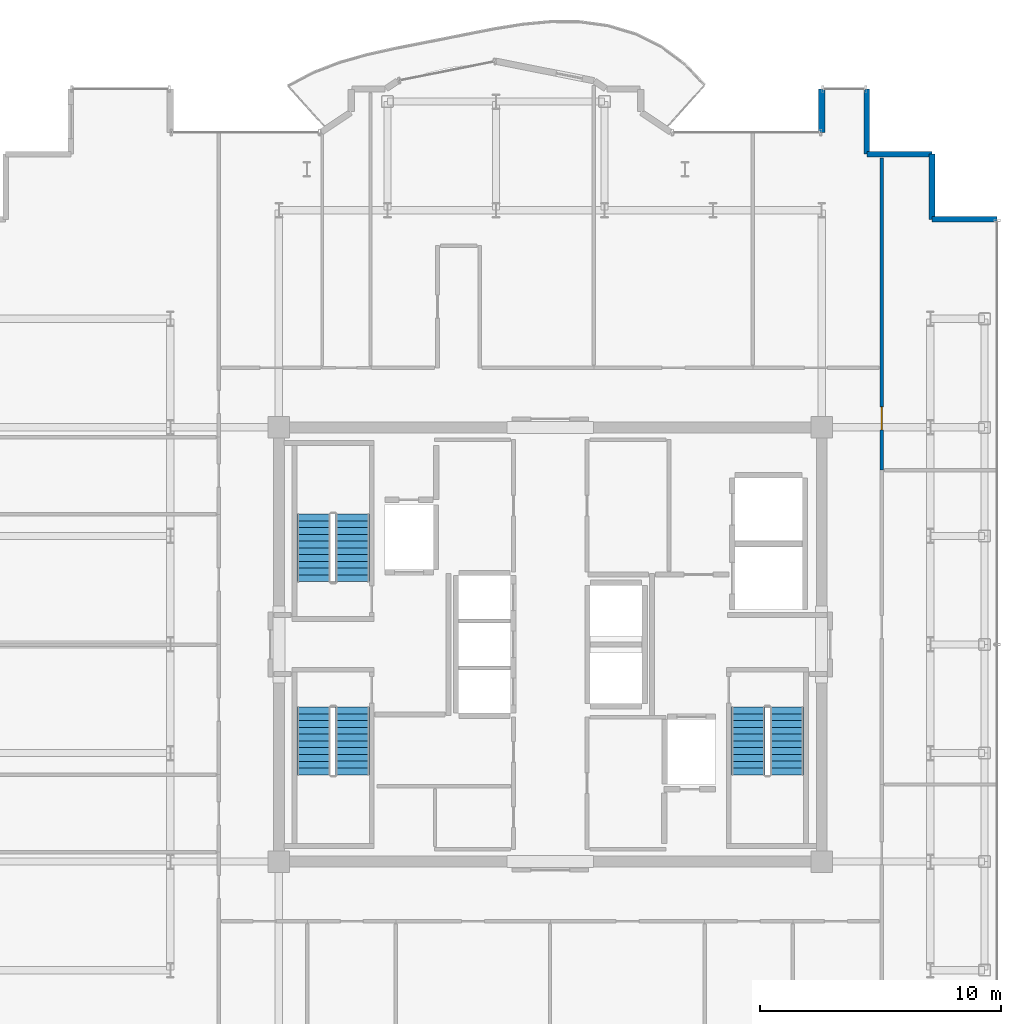
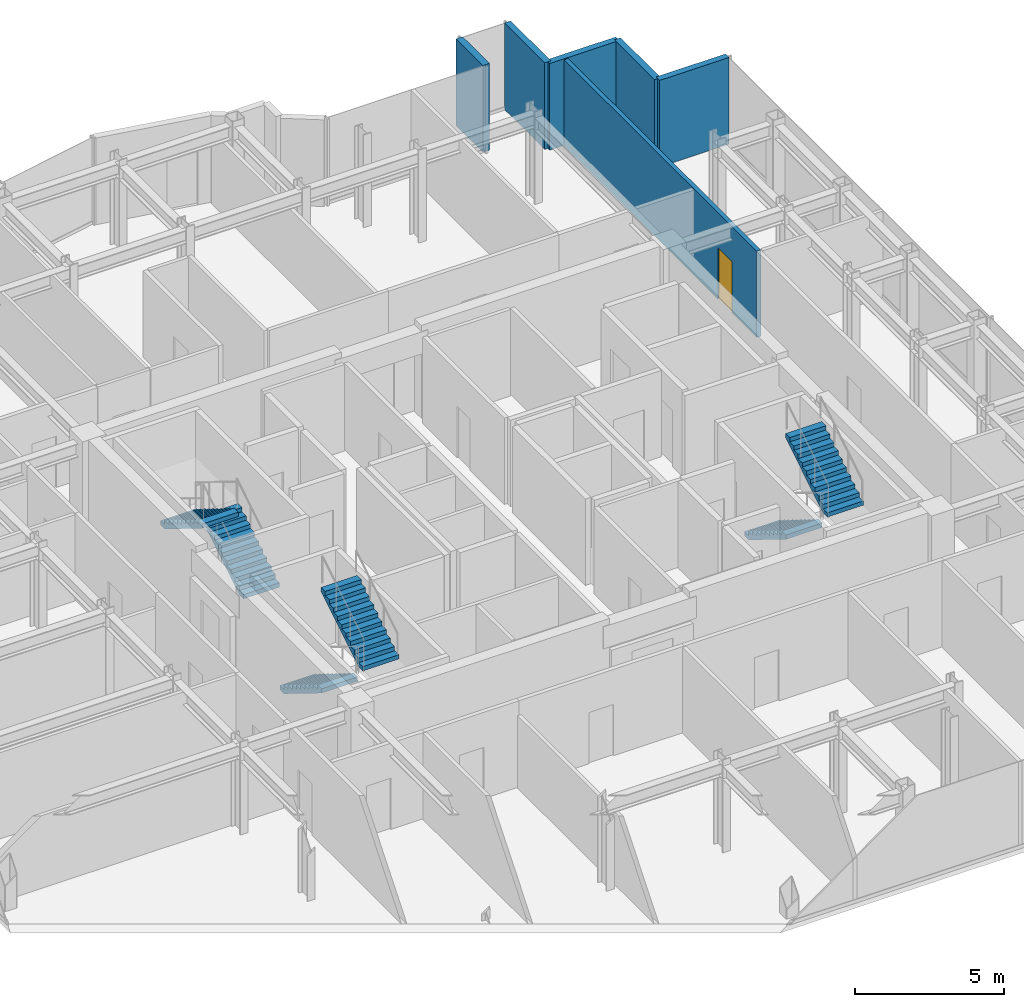
# One storey, part 17 of 18: 6 stair flights, 6 walls, 1 door, 1 opening, 3 elements without a shape of their own.
"""IFC4 building model written with IfcOpenShell, lengths in metres."""

from ifc_helpers import new_model, si_unit, direction, frame, frame_2d, origin, place, context, subcontext, project, spatial, polyline, rectangle, outline, extrude, source, transform, mapped, material, layer, layer_set, type_object, element, fill, aggregate, save


model = new_model("IFC4")

# Units and contexts
model_context = context("Model", 3, precision=1e-05, world=origin(), true_north=direction((0.0, 1.0)))
body_context = subcontext(model_context, "Body", "Model", "MODEL_VIEW")
ifc_project = project(units=[si_unit("LENGTHUNIT", "METRE"), si_unit("AREAUNIT", "SQUARE_METRE"), si_unit("VOLUMEUNIT", "CUBIC_METRE"), si_unit("PLANEANGLEUNIT", "RADIAN"), si_unit("MASSUNIT", "GRAM", prefix="KILO")], contexts=[model_context])

# Site, building, storey
site_placement = place(None, origin())
site = spatial("IfcSite", under=ifc_project, at=site_placement, CompositionType="ELEMENT")
building_placement = place(site_placement, origin())
building = spatial("IfcBuilding", under=site, at=building_placement, Name="Nefas-Gora Pilgrimage Tower", CompositionType="ELEMENT")
storey_placement = place(building_placement, frame((0.0, 0.0, 302.60009765625)))
storey = spatial("IfcBuildingStorey", under=building, at=storey_placement, Name="L76", CompositionType="ELEMENT", Elevation=302.60009765625)

# Walls
ifc_material_1 = material(Name="Precast concrete C40/50", Category="concrete")
ifc_layer_1 = layer(ifc_material_1, 0.260009765625)
ifc_layer_set_1 = layer_set([ifc_layer_1], Name="Precast concrete C40/50")
wall_type_1 = type_object("IfcWallType", Name="EW-PORTAL-260", PredefinedType="SOLIDWALL", material=ifc_layer_set_1)
shared_shape_1 = source(origin(), body_context, "Body", "SweptSolid", [
    extrude(rectangle(XDim=1.800048828125, YDim=0.260009765625, at=frame_2d((0.89990234375, 0.0))), origin(), (0.0, 0.0, 1.0), 3.5498046875),
])
wall_1_placement = place(storey_placement, frame((11.25, 23.02001953125, 0.0), z_axis=(0.0, 0.0, 1.0), x_axis=(0.0, -1.0, 0.0)))
element("IfcWall", 1, at=wall_1_placement, inside=storey, type_object=wall_type_1, Name="L76 Lobe Shoulder Precast Spandrel Pier 6", PredefinedType="SOLIDWALL", context=body_context, shape_type="MappedRepresentation", body=[
    mapped(shared_shape_1, transform((0.0, 0.0, 0.0), x_axis=(1.0, 0.0, 0.0), y_axis=(0.0, 1.0, 0.0), z_axis=(0.0, 0.0, 1.0), scale=1.0)),
])
ifc_material_2 = material(Name="Precast concrete C45/55", Category="concrete")
ifc_layer_2 = layer(ifc_material_2, 0.239990234375)
ifc_layer_set_2 = layer_set([ifc_layer_2], Name="Precast concrete C45/55")
wall_type_2 = type_object("IfcWallType", Name="EW-SERR-240", PredefinedType="SHEAR", material=ifc_layer_set_2)
shared_shape_2 = source(origin(), body_context, "Body", "SweptSolid", [
    extrude(rectangle(XDim=2.699951171875, YDim=0.239990234375, at=frame_2d((1.35009765625, 0.0))), origin(), (0.0, 0.0, 1.0), 3.5498046875),
])
for number, where, z_axis, x_axis, name in (
    (2, (18.52001953125, 17.6201171875, 0.0), (0.0, 0.0, 1.0), (-1.0, 0.0, 0.0), "L76 Serrated Corner Shear Pier Wall 2"),
    (3, (15.820068359375, 17.6201171875, 0.0), (0.0, 0.0, 1.0), (0.0, 1.0, 0.0), "L76 Serrated Corner Shear Pier Wall 3"),
    (4, (15.820068359375, 20.320068359375, 0.0), (0.0, 0.0, 1.0), (-1.0, 0.0, 0.0), "L76 Serrated Corner Shear Pier Wall 4"),
    (5, (13.1201171875, 20.320068359375, 0.0), (0.0, 0.0, 1.0), (0.0, 1.0, 0.0), "L76 Serrated Corner Shear Pier Wall 5"),
):
    element("IfcWall", number, at=place(storey_placement, frame(where, z_axis=z_axis, x_axis=x_axis)), inside=storey, type_object=wall_type_2, Name=name, PredefinedType="SHEAR", context=body_context, shape_type="MappedRepresentation", body=[
        mapped(shared_shape_2, transform((0.0, 0.0, 0.0), x_axis=(1.0, 0.0, 0.0), y_axis=(0.0, 1.0, 0.0), z_axis=(0.0, 0.0, 1.0), scale=1.0)),
    ])

# Wall, opening, door
ifc_material_3 = material(Name="Gypsum acoustic stud partition")
ifc_layer_3 = layer(ifc_material_3, 0.159912109375)
ifc_layer_set_3 = layer_set([ifc_layer_3], Name="Gypsum acoustic stud partition")
wall_type_3 = type_object("IfcWallType", Name="IW-CORR-160", PredefinedType="PARTITIONING", material=ifc_layer_set_3)
shared_shape_3 = source(origin(), body_context, "Body", "SweptSolid", [
    extrude(rectangle(XDim=12.92236328125, YDim=0.159912109375, at=frame_2d((6.461181640625, 0.0))), origin(), (0.0, 0.0, 1.0), 3.534912109375),
])
wall_2_placement = place(storey_placement, frame((13.739990234375, 7.237548828125, 0.0), z_axis=(0.0, 0.0, 1.0), x_axis=(0.0, 1.0, 0.0)))
wall_2 = element("IfcWall", 6, at=wall_2_placement, inside=storey, type_object=wall_type_3, Name="L76 Pilgrim Contemplative Lounge Partition Wall 52", PredefinedType="PARTITIONING", context=body_context, shape_type="MappedRepresentation", body=[
    mapped(shared_shape_3, transform((0.0, 0.0, 0.0), x_axis=(1.0, 0.0, 0.0), y_axis=(0.0, 1.0, 0.0), z_axis=(0.0, 0.0, 1.0), scale=1.0)),
])
opening_placement = place(wall_2_placement, frame((1.6611328125, 0.0, 0.0)))
opening = element("IfcOpeningElement", 7, at=opening_placement, cuts=wall_2, Name="Opening ID-GR1", PredefinedType="OPENING", context=body_context, shape_type="SweptSolid", body=[
    extrude(rectangle(XDim=0.949951171875, YDim=2.10009765625, at=frame_2d((0.47509765625, 1.050048828125))), frame((0.0, 0.08984375, 0.0), z_axis=(0.0, -1.0, 0.0), x_axis=(1.0, 0.0, 0.0)), (0.0, 0.0, 1.0), 0.179931640625),
])
ifc_material_4 = material(Name="Solid core oak fire-rated guest entrance door")
door_type = type_object("IfcDoorType", Name="DR-INT-GUEST-950", OperationType="NOTDEFINED", PredefinedType="DOOR", material=ifc_material_4)
shared_shape_4 = source(origin(), body_context, "Body", "SweptSolid", [
    extrude(rectangle(XDim=0.949951171875, YDim=2.10009765625, at=frame_2d((0.47509765625, 1.050048828125))), frame((0.0, 0.02490234375, 0.0), z_axis=(0.0, -1.0, 0.0), x_axis=(1.0, 0.0, 0.0)), (0.0, 0.0, 1.0), 0.050048828125),
])
door_placement = place(opening_placement, origin())
door = element("IfcDoor", 8, at=door_placement, inside=storey, type_object=door_type, Name="L76 Pilgrim Contemplative Lounge Door 23", OperationType="SINGLE_SWING_RIGHT", OverallHeight=2.10009765625, OverallWidth=0.949951171875, PredefinedType="DOOR", context=body_context, shape_type="MappedRepresentation", body=[
    mapped(shared_shape_4, transform((0.0, 0.0, 0.0), x_axis=(1.0, 0.0, 0.0), y_axis=(0.0, 1.0, 0.0), z_axis=(0.0, 0.0, 1.0), scale=1.0)),
])
fill(opening, door)

# Stair, stair flights
ifc_material_5 = material(Name="Concrete C45/55", Category="concrete")
stair_type = type_object("IfcStairType", Name="STR-1400-R1727", PredefinedType="HALF_TURN_STAIR", material=ifc_material_5)
stair_1_placement = place(storey_placement, origin())
stair_1 = element("IfcStair", 9, at=stair_1_placement, inside=storey, type_object=stair_type, Name="L76 Pressurised Tower Exit Stair ST-01", PredefinedType="HALF_TURN_STAIR")
stair_flight_type = type_object("IfcStairFlightType", Name="STF-1400-R1727", PredefinedType="STRAIGHT", material=ifc_material_5)
shared_shape_5 = source(origin(), body_context, "Body", "SweptSolid", [
    extrude(outline(polyline([(0.0, 0.0), (0.0, 0.172607421875), (0.280029296875, 0.172607421875), (0.280029296875, 0.345458984375), (0.56005859375, 0.345458984375), (0.56005859375, 0.51806640625), (0.840087890625, 0.51806640625), (0.840087890625, 0.69091796875), (1.1201171875, 0.69091796875), (1.1201171875, 0.863525390625), (1.39990234375, 0.863525390625), (1.39990234375, 1.036376953125), (1.679931640625, 1.036376953125), (1.679931640625, 1.208984375), (1.9599609375, 1.208984375), (1.9599609375, 1.3818359375), (2.239990234375, 1.3818359375), (2.239990234375, 1.554443359375), (2.52001953125, 1.554443359375), (2.52001953125, 1.727294921875), (2.800048828125, 1.727294921875), (2.800048828125, 1.89990234375), (2.800048828125, 1.551025390625), (0.285400390625, 0.0), (0.0, 0.0)])), frame((0.0, 0.699951171875, 0.0), z_axis=(0.0, -1.0, 0.0), x_axis=(1.0, 0.0, 0.0)), (0.0, 0.0, 1.0), 1.39990234375),
])
stair_flight_1_placement = place(storey_placement, frame((-8.199951171875, 2.60009765625, 0.0), z_axis=(0.0, 0.0, 1.0), x_axis=(0.0, 1.0, 0.0)))
stair_flight_1 = element("IfcStairFlight", 10, at=stair_flight_1_placement, type_object=stair_flight_type, Name="ST-01 flight 1", NumberOfRisers=11, NumberOfTreads=10, PredefinedType="STRAIGHT", RiserHeight=0.172727273, TreadLength=0.28, context=body_context, shape_type="MappedRepresentation", body=[
    mapped(shared_shape_5, transform((0.0, 0.0, 0.0), x_axis=(1.0, 0.0, 0.0), y_axis=(0.0, 1.0, 0.0), z_axis=(0.0, 0.0, 1.0), scale=1.0)),
])
stair_flight_2_placement = place(storey_placement, frame((-9.800048828125, 5.39990234375, 1.89990234375), z_axis=(0.0, 0.0, 1.0), x_axis=(0.0, -1.0, 0.0)))
stair_flight_2 = element("IfcStairFlight", 11, at=stair_flight_2_placement, type_object=stair_flight_type, Name="ST-01 flight 2", NumberOfRisers=11, NumberOfTreads=10, PredefinedType="STRAIGHT", RiserHeight=0.172727273, TreadLength=0.28, context=body_context, shape_type="MappedRepresentation", body=[
    mapped(shared_shape_5, transform((0.0, 0.0, 0.0), x_axis=(1.0, 0.0, 0.0), y_axis=(0.0, 1.0, 0.0), z_axis=(0.0, 0.0, 1.0), scale=1.0)),
])
aggregate(stair_1, [stair_flight_1, stair_flight_2])

stair_2_placement = place(storey_placement, origin())
stair_2 = element("IfcStair", 12, at=stair_2_placement, inside=storey, type_object=stair_type, Name="L76 Pressurised Tower Exit Stair ST-02", PredefinedType="HALF_TURN_STAIR")
stair_flight_3_placement = place(storey_placement, frame((8.199951171875, -2.60009765625, 0.0), z_axis=(0.0, 0.0, 1.0), x_axis=(0.0, -1.0, 0.0)))
stair_flight_3 = element("IfcStairFlight", 13, at=stair_flight_3_placement, type_object=stair_flight_type, Name="ST-02 flight 1", NumberOfRisers=11, NumberOfTreads=10, PredefinedType="STRAIGHT", RiserHeight=0.172727273, TreadLength=0.28, context=body_context, shape_type="MappedRepresentation", body=[
    mapped(shared_shape_5, transform((0.0, 0.0, 0.0), x_axis=(1.0, 0.0, 0.0), y_axis=(0.0, 1.0, 0.0), z_axis=(0.0, 0.0, 1.0), scale=1.0)),
])
stair_flight_4_placement = place(storey_placement, frame((9.800048828125, -5.39990234375, 1.89990234375), z_axis=(0.0, 0.0, 1.0), x_axis=(0.0, 1.0, 0.0)))
stair_flight_4 = element("IfcStairFlight", 14, at=stair_flight_4_placement, type_object=stair_flight_type, Name="ST-02 flight 2", NumberOfRisers=11, NumberOfTreads=10, PredefinedType="STRAIGHT", RiserHeight=0.172727273, TreadLength=0.28, context=body_context, shape_type="MappedRepresentation", body=[
    mapped(shared_shape_5, transform((0.0, 0.0, 0.0), x_axis=(1.0, 0.0, 0.0), y_axis=(0.0, 1.0, 0.0), z_axis=(0.0, 0.0, 1.0), scale=1.0)),
])
aggregate(stair_2, [stair_flight_3, stair_flight_4])

stair_3_placement = place(storey_placement, origin())
stair_3 = element("IfcStair", 15, at=stair_3_placement, inside=storey, type_object=stair_type, Name="L76 Pressurised Tower Exit Stair ST-03", PredefinedType="HALF_TURN_STAIR")
stair_flight_5_placement = place(storey_placement, frame((-9.800048828125, -2.60009765625, 0.0), z_axis=(0.0, 0.0, 1.0), x_axis=(0.0, -1.0, 0.0)))
stair_flight_5 = element("IfcStairFlight", 16, at=stair_flight_5_placement, type_object=stair_flight_type, Name="ST-03 flight 1", NumberOfRisers=11, NumberOfTreads=10, PredefinedType="STRAIGHT", RiserHeight=0.172727273, TreadLength=0.28, context=body_context, shape_type="MappedRepresentation", body=[
    mapped(shared_shape_5, transform((0.0, 0.0, 0.0), x_axis=(1.0, 0.0, 0.0), y_axis=(0.0, 1.0, 0.0), z_axis=(0.0, 0.0, 1.0), scale=1.0)),
])
stair_flight_6_placement = place(storey_placement, frame((-8.199951171875, -5.39990234375, 1.89990234375), z_axis=(0.0, 0.0, 1.0), x_axis=(0.0, 1.0, 0.0)))
stair_flight_6 = element("IfcStairFlight", 17, at=stair_flight_6_placement, type_object=stair_flight_type, Name="ST-03 flight 2", NumberOfRisers=11, NumberOfTreads=10, PredefinedType="STRAIGHT", RiserHeight=0.172727273, TreadLength=0.28, context=body_context, shape_type="MappedRepresentation", body=[
    mapped(shared_shape_5, transform((0.0, 0.0, 0.0), x_axis=(1.0, 0.0, 0.0), y_axis=(0.0, 1.0, 0.0), z_axis=(0.0, 0.0, 1.0), scale=1.0)),
])
aggregate(stair_3, [stair_flight_5, stair_flight_6])

save(model, "model.ifc")
